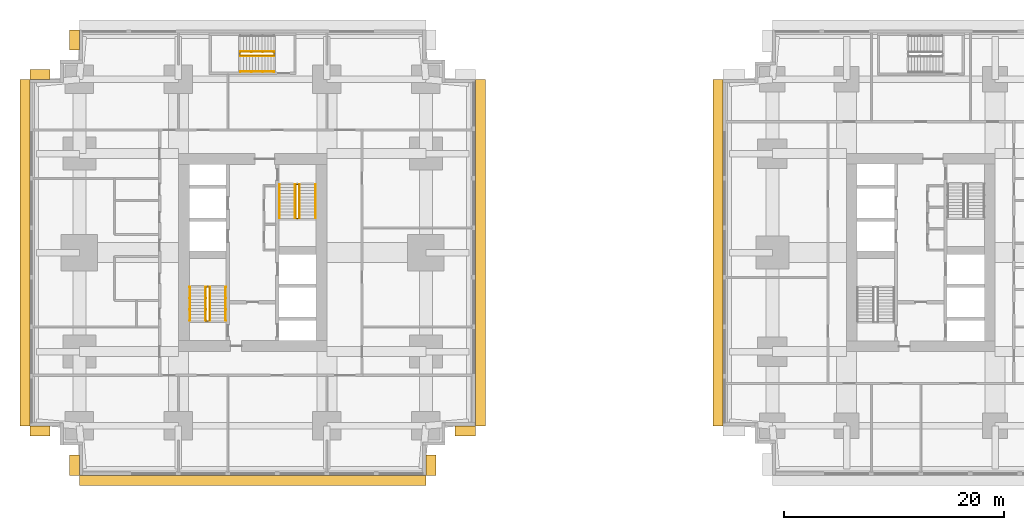
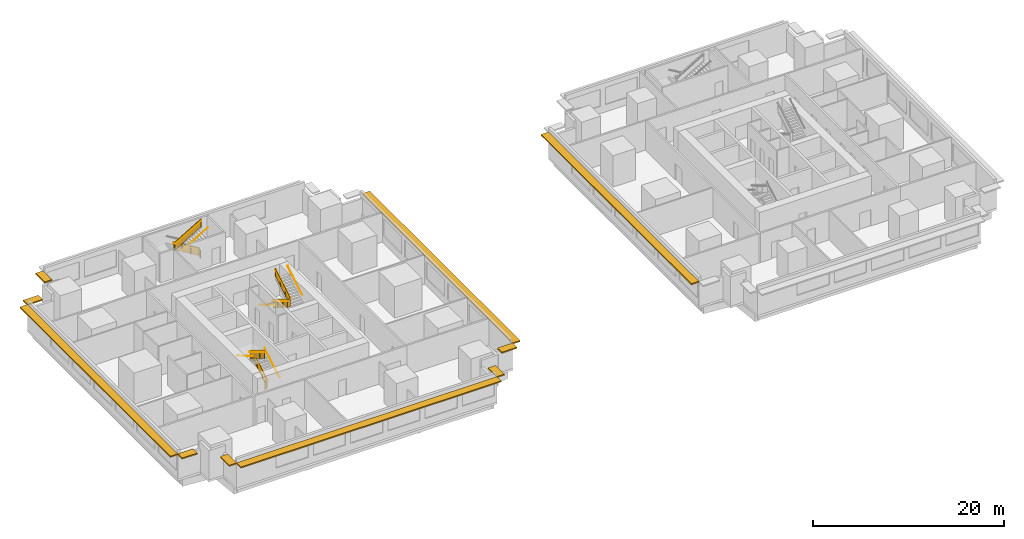
# One storey, part 10 of 12: 14 railings, 10 shading devices.
"""IFC4 building model written with IfcOpenShell, lengths in metres."""

from ifc_helpers import new_model, si_unit, direction, frame, origin, origin_2d, place, context, subcontext, project, spatial, polyline, rectangle, circle, outline, extrude, material, layer, layer_set, type_object, element, save


model = new_model("IFC4")

# Units and contexts
model_context = context("Model", 3, precision=1e-05, world=origin(), true_north=direction((0.0, 1.0)))
body_context = subcontext(model_context, "Body", "Model", "MODEL_VIEW")
ifc_project = project(units=[si_unit("LENGTHUNIT", "METRE"), si_unit("AREAUNIT", "SQUARE_METRE"), si_unit("VOLUMEUNIT", "CUBIC_METRE"), si_unit("PLANEANGLEUNIT", "RADIAN"), si_unit("MASSUNIT", "GRAM", prefix="KILO")], contexts=[model_context])

# Site, building, storey
site_placement = place(None, origin())
site = spatial("IfcSite", under=ifc_project, at=site_placement, CompositionType="ELEMENT")
building_placement = place(site_placement, origin())
building = spatial("IfcBuilding", under=site, at=building_placement, Name="Namib Vertical Campus", CompositionType="ELEMENT")
storey_placement = place(building_placement, frame((0.0, 0.0, 45.0)))
storey = spatial("IfcBuildingStorey", under=building, at=storey_placement, Name="L10", CompositionType="ELEMENT", Elevation=45.0)

# Railings
ifc_material_1 = material(Name="Steel handrail", Category="steel")
railing_type_1 = type_object("IfcRailingType", Name="Handrail 900", PredefinedType="HANDRAIL", material=ifc_material_1)
railing_1_placement = place(storey_placement, frame((17.800048828125, 14.050048828125, 0.166748046875)))
element("IfcRailing", 1, at=railing_1_placement, inside=storey, type_object=railing_type_1, Name="Handrail HR1 A-S1 L10 1", PredefinedType="HANDRAIL", context=body_context, shape_type="SweptSolid", body=[
    extrude(circle(Radius=0.02392578125, at=origin_2d()), frame((0.0, 0.0, 0.8759765625), z_axis=(0.0, 0.859290745958, 0.51148745235), x_axis=(-1.0, 0.0, 0.0)), (0.0, 0.0, 1.0), 3.584228515625),
    extrude(circle(Radius=0.008056640625, at=origin_2d()), frame((0.0, 0.0, 0.8759765625), z_axis=(1.0, 0.0, 0.0), x_axis=(0.0, 0.0, 1.0)), (0.0, 0.0, 1.0), 0.050048828125),
    extrude(circle(Radius=0.008056640625, at=origin_2d()), frame((0.0, 1.026611328125, 1.48681640625), z_axis=(1.0, 0.0, 0.0), x_axis=(0.0, 0.0, 1.0)), (0.0, 0.0, 1.0), 0.050048828125),
    extrude(circle(Radius=0.008056640625, at=origin_2d()), frame((0.0, 2.05322265625, 2.09814453125), z_axis=(1.0, 0.0, 0.0), x_axis=(0.0, 0.0, 1.0)), (0.0, 0.0, 1.0), 0.050048828125),
    extrude(circle(Radius=0.008056640625, at=origin_2d()), frame((0.0, 3.079833984375, 2.708984375), z_axis=(1.0, 0.0, 0.0), x_axis=(0.0, 0.0, 1.0)), (0.0, 0.0, 1.0), 0.050048828125),
])
railing_2_placement = place(storey_placement, frame((14.550048828125, 17.1298828125, 2.166748046875)))
element("IfcRailing", 2, at=railing_2_placement, inside=storey, type_object=railing_type_1, Name="Handrail HR1 A-S1 L10 2", PredefinedType="HANDRAIL", context=body_context, shape_type="SweptSolid", body=[
    extrude(circle(Radius=0.02392578125, at=origin_2d()), frame((0.0, 0.0, 0.8759765625), z_axis=(0.0, -0.859290745958, 0.51148745235), x_axis=(1.0, 0.0, 0.0)), (0.0, 0.0, 1.0), 3.584228515625),
    extrude(circle(Radius=0.008056640625, at=origin_2d()), frame((0.0, 0.0, 0.8759765625), z_axis=(-1.0, 0.0, 0.0), x_axis=(0.0, 0.0, 1.0)), (0.0, 0.0, 1.0), 0.050048828125),
    extrude(circle(Radius=0.008056640625, at=origin_2d()), frame((0.0, -1.026611328125, 1.48681640625), z_axis=(-1.0, 0.0, 0.0), x_axis=(0.0, 0.0, 1.0)), (0.0, 0.0, 1.0), 0.050048828125),
    extrude(circle(Radius=0.008056640625, at=origin_2d()), frame((0.0, -2.05322265625, 2.09814453125), z_axis=(-1.0, 0.0, 0.0), x_axis=(0.0, 0.0, 1.0)), (0.0, 0.0, 1.0), 0.050048828125),
    extrude(circle(Radius=0.008056640625, at=origin_2d()), frame((0.0, -3.079833984375, 2.708984375), z_axis=(-1.0, 0.0, 0.0), x_axis=(0.0, 0.0, 1.0)), (0.0, 0.0, 1.0), 0.050048828125),
])
railing_3_placement = place(storey_placement, frame((16.375, 14.050048828125, 0.166748046875)))
element("IfcRailing", 3, at=railing_3_placement, inside=storey, type_object=railing_type_1, Name="Handrail HR1 A-S1 L10 1 at the well", PredefinedType="HANDRAIL", context=body_context, shape_type="SweptSolid", body=[
    extrude(circle(Radius=0.02392578125, at=origin_2d()), frame((0.0, 0.0, 0.8759765625), z_axis=(0.0, 0.859290745958, 0.51148745235), x_axis=(-1.0, 0.0, 0.0)), (0.0, 0.0, 1.0), 3.584228515625),
    extrude(circle(Radius=0.008056640625, at=origin_2d()), frame((0.0, 0.0, 0.8759765625), z_axis=(-1.0, 0.0, 0.0), x_axis=(0.0, 0.0, 1.0)), (0.0, 0.0, 1.0), 0.0400390625),
    extrude(circle(Radius=0.008056640625, at=origin_2d()), frame((0.0, 1.026611328125, 1.48681640625), z_axis=(-1.0, 0.0, 0.0), x_axis=(0.0, 0.0, 1.0)), (0.0, 0.0, 1.0), 0.0400390625),
    extrude(circle(Radius=0.008056640625, at=origin_2d()), frame((0.0, 2.05322265625, 2.09814453125), z_axis=(-1.0, 0.0, 0.0), x_axis=(0.0, 0.0, 1.0)), (0.0, 0.0, 1.0), 0.0400390625),
    extrude(circle(Radius=0.008056640625, at=origin_2d()), frame((0.0, 3.079833984375, 2.708984375), z_axis=(-1.0, 0.0, 0.0), x_axis=(0.0, 0.0, 1.0)), (0.0, 0.0, 1.0), 0.0400390625),
])
railing_4_placement = place(storey_placement, frame((15.97509765625, 17.1298828125, 2.166748046875)))
element("IfcRailing", 4, at=railing_4_placement, inside=storey, type_object=railing_type_1, Name="Handrail HR1 A-S1 L10 2 at the well", PredefinedType="HANDRAIL", context=body_context, shape_type="SweptSolid", body=[
    extrude(circle(Radius=0.02392578125, at=origin_2d()), frame((0.0, 0.0, 0.8759765625), z_axis=(0.0, -0.859290745958, 0.51148745235), x_axis=(1.0, 0.0, 0.0)), (0.0, 0.0, 1.0), 3.584228515625),
    extrude(circle(Radius=0.008056640625, at=origin_2d()), frame((0.0, 0.0, 0.8759765625), z_axis=(1.0, 0.0, 0.0), x_axis=(0.0, 0.0, 1.0)), (0.0, 0.0, 1.0), 0.0400390625),
    extrude(circle(Radius=0.008056640625, at=origin_2d()), frame((0.0, -1.026611328125, 1.48681640625), z_axis=(1.0, 0.0, 0.0), x_axis=(0.0, 0.0, 1.0)), (0.0, 0.0, 1.0), 0.0400390625),
    extrude(circle(Radius=0.008056640625, at=origin_2d()), frame((0.0, -2.05322265625, 2.09814453125), z_axis=(1.0, 0.0, 0.0), x_axis=(0.0, 0.0, 1.0)), (0.0, 0.0, 1.0), 0.0400390625),
    extrude(circle(Radius=0.008056640625, at=origin_2d()), frame((0.0, -3.079833984375, 2.708984375), z_axis=(1.0, 0.0, 0.0), x_axis=(0.0, 0.0, 1.0)), (0.0, 0.0, 1.0), 0.0400390625),
])
railing_5_placement = place(storey_placement, frame((22.699951171875, 26.449951171875, 0.166748046875)))
element("IfcRailing", 5, at=railing_5_placement, inside=storey, type_object=railing_type_1, Name="Handrail HR1 A-S2 L10 1", PredefinedType="HANDRAIL", context=body_context, shape_type="SweptSolid", body=[
    extrude(circle(Radius=0.02392578125, at=origin_2d()), frame((0.0, 0.0, 0.8759765625), z_axis=(0.0, -0.859290745958, 0.51148745235), x_axis=(1.0, 0.0, 0.0)), (0.0, 0.0, 1.0), 3.584228515625),
    extrude(circle(Radius=0.008056640625, at=origin_2d()), frame((0.0, 0.0, 0.8759765625), z_axis=(-1.0, 0.0, 0.0), x_axis=(0.0, 0.0, 1.0)), (0.0, 0.0, 1.0), 0.050048828125),
    extrude(circle(Radius=0.008056640625, at=origin_2d()), frame((0.0, -1.026611328125, 1.48681640625), z_axis=(-1.0, 0.0, 0.0), x_axis=(0.0, 0.0, 1.0)), (0.0, 0.0, 1.0), 0.050048828125),
    extrude(circle(Radius=0.008056640625, at=origin_2d()), frame((0.0, -2.05322265625, 2.09814453125), z_axis=(-1.0, 0.0, 0.0), x_axis=(0.0, 0.0, 1.0)), (0.0, 0.0, 1.0), 0.050048828125),
    extrude(circle(Radius=0.008056640625, at=origin_2d()), frame((0.0, -3.079833984375, 2.708984375), z_axis=(-1.0, 0.0, 0.0), x_axis=(0.0, 0.0, 1.0)), (0.0, 0.0, 1.0), 0.050048828125),
])
railing_6_placement = place(storey_placement, frame((25.949951171875, 23.3701171875, 2.166748046875)))
element("IfcRailing", 6, at=railing_6_placement, inside=storey, type_object=railing_type_1, Name="Handrail HR1 A-S2 L10 2", PredefinedType="HANDRAIL", context=body_context, shape_type="SweptSolid", body=[
    extrude(circle(Radius=0.02392578125, at=origin_2d()), frame((0.0, 0.0, 0.8759765625), z_axis=(0.0, 0.859290745958, 0.51148745235), x_axis=(-1.0, 0.0, 0.0)), (0.0, 0.0, 1.0), 3.584228515625),
    extrude(circle(Radius=0.008056640625, at=origin_2d()), frame((0.0, 0.0, 0.8759765625), z_axis=(1.0, 0.0, 0.0), x_axis=(0.0, 0.0, 1.0)), (0.0, 0.0, 1.0), 0.050048828125),
    extrude(circle(Radius=0.008056640625, at=origin_2d()), frame((0.0, 1.026611328125, 1.48681640625), z_axis=(1.0, 0.0, 0.0), x_axis=(0.0, 0.0, 1.0)), (0.0, 0.0, 1.0), 0.050048828125),
    extrude(circle(Radius=0.008056640625, at=origin_2d()), frame((0.0, 2.05322265625, 2.09814453125), z_axis=(1.0, 0.0, 0.0), x_axis=(0.0, 0.0, 1.0)), (0.0, 0.0, 1.0), 0.050048828125),
    extrude(circle(Radius=0.008056640625, at=origin_2d()), frame((0.0, 3.079833984375, 2.708984375), z_axis=(1.0, 0.0, 0.0), x_axis=(0.0, 0.0, 1.0)), (0.0, 0.0, 1.0), 0.050048828125),
])
railing_7_placement = place(storey_placement, frame((24.125, 26.449951171875, 0.166748046875)))
element("IfcRailing", 7, at=railing_7_placement, inside=storey, type_object=railing_type_1, Name="Handrail HR1 A-S2 L10 1 at the well", PredefinedType="HANDRAIL", context=body_context, shape_type="SweptSolid", body=[
    extrude(circle(Radius=0.02392578125, at=origin_2d()), frame((0.0, 0.0, 0.8759765625), z_axis=(0.0, -0.859290745958, 0.51148745235), x_axis=(1.0, 0.0, 0.0)), (0.0, 0.0, 1.0), 3.584228515625),
    extrude(circle(Radius=0.008056640625, at=origin_2d()), frame((0.0, 0.0, 0.8759765625), z_axis=(1.0, 0.0, 0.0), x_axis=(0.0, 0.0, 1.0)), (0.0, 0.0, 1.0), 0.0400390625),
    extrude(circle(Radius=0.008056640625, at=origin_2d()), frame((0.0, -1.026611328125, 1.48681640625), z_axis=(1.0, 0.0, 0.0), x_axis=(0.0, 0.0, 1.0)), (0.0, 0.0, 1.0), 0.0400390625),
    extrude(circle(Radius=0.008056640625, at=origin_2d()), frame((0.0, -2.05322265625, 2.09814453125), z_axis=(1.0, 0.0, 0.0), x_axis=(0.0, 0.0, 1.0)), (0.0, 0.0, 1.0), 0.0400390625),
    extrude(circle(Radius=0.008056640625, at=origin_2d()), frame((0.0, -3.079833984375, 2.708984375), z_axis=(1.0, 0.0, 0.0), x_axis=(0.0, 0.0, 1.0)), (0.0, 0.0, 1.0), 0.0400390625),
])
railing_8_placement = place(storey_placement, frame((24.52490234375, 23.3701171875, 2.166748046875)))
element("IfcRailing", 8, at=railing_8_placement, inside=storey, type_object=railing_type_1, Name="Handrail HR1 A-S2 L10 2 at the well", PredefinedType="HANDRAIL", context=body_context, shape_type="SweptSolid", body=[
    extrude(circle(Radius=0.02392578125, at=origin_2d()), frame((0.0, 0.0, 0.8759765625), z_axis=(0.0, 0.859290745958, 0.51148745235), x_axis=(-1.0, 0.0, 0.0)), (0.0, 0.0, 1.0), 3.584228515625),
    extrude(circle(Radius=0.008056640625, at=origin_2d()), frame((0.0, 0.0, 0.8759765625), z_axis=(-1.0, 0.0, 0.0), x_axis=(0.0, 0.0, 1.0)), (0.0, 0.0, 1.0), 0.0400390625),
    extrude(circle(Radius=0.008056640625, at=origin_2d()), frame((0.0, 1.026611328125, 1.48681640625), z_axis=(-1.0, 0.0, 0.0), x_axis=(0.0, 0.0, 1.0)), (0.0, 0.0, 1.0), 0.0400390625),
    extrude(circle(Radius=0.008056640625, at=origin_2d()), frame((0.0, 2.05322265625, 2.09814453125), z_axis=(-1.0, 0.0, 0.0), x_axis=(0.0, 0.0, 1.0)), (0.0, 0.0, 1.0), 0.0400390625),
    extrude(circle(Radius=0.008056640625, at=origin_2d()), frame((0.0, 3.079833984375, 2.708984375), z_axis=(-1.0, 0.0, 0.0), x_axis=(0.0, 0.0, 1.0)), (0.0, 0.0, 1.0), 0.0400390625),
])
railing_9_placement = place(storey_placement, frame((19.1201171875, 36.699951171875, 2.166748046875)))
element("IfcRailing", 9, at=railing_9_placement, inside=storey, type_object=railing_type_1, Name="Handrail HR1 A-S3 L10 2", PredefinedType="HANDRAIL", context=body_context, shape_type="SweptSolid", body=[
    extrude(circle(Radius=0.02392578125, at=origin_2d()), frame((0.0, 0.0, 0.8759765625), z_axis=(0.859290745958, 0.0, 0.51148745235), x_axis=(0.0, 1.0, 0.0)), (0.0, 0.0, 1.0), 3.584228515625),
    extrude(circle(Radius=0.008056640625, at=origin_2d()), frame((0.0, 0.0, 0.8759765625), z_axis=(0.0, -1.0, 0.0), x_axis=(0.0, 0.0, 1.0)), (0.0, 0.0, 1.0), 0.050048828125),
    extrude(circle(Radius=0.008056640625, at=origin_2d()), frame((1.026611328125, 0.0, 1.48681640625), z_axis=(0.0, -1.0, 0.0), x_axis=(0.0, 0.0, 1.0)), (0.0, 0.0, 1.0), 0.050048828125),
    extrude(circle(Radius=0.008056640625, at=origin_2d()), frame((2.05322265625, 0.0, 2.09814453125), z_axis=(0.0, -1.0, 0.0), x_axis=(0.0, 0.0, 1.0)), (0.0, 0.0, 1.0), 0.050048828125),
    extrude(circle(Radius=0.008056640625, at=origin_2d()), frame((3.079833984375, 0.0, 2.708984375), z_axis=(0.0, -1.0, 0.0), x_axis=(0.0, 0.0, 1.0)), (0.0, 0.0, 1.0), 0.050048828125),
])
railing_10_placement = place(storey_placement, frame((22.199951171875, 38.52490234375, 0.166748046875)))
element("IfcRailing", 10, at=railing_10_placement, inside=storey, type_object=railing_type_1, Name="Handrail HR1 A-S3 L10 1 at the well", PredefinedType="HANDRAIL", context=body_context, shape_type="SweptSolid", body=[
    extrude(circle(Radius=0.02392578125, at=origin_2d()), frame((0.0, 0.0, 0.8759765625), z_axis=(-0.859290745958, 0.0, 0.51148745235), x_axis=(0.0, -1.0, 0.0)), (0.0, 0.0, 1.0), 3.584228515625),
    extrude(circle(Radius=0.008056640625, at=origin_2d()), frame((0.0, 0.0, 0.8759765625), z_axis=(0.0, -1.0, 0.0), x_axis=(0.0, 0.0, 1.0)), (0.0, 0.0, 1.0), 0.0400390625),
    extrude(circle(Radius=0.008056640625, at=origin_2d()), frame((-1.026611328125, 0.0, 1.48681640625), z_axis=(0.0, -1.0, 0.0), x_axis=(0.0, 0.0, 1.0)), (0.0, 0.0, 1.0), 0.0400390625),
    extrude(circle(Radius=0.008056640625, at=origin_2d()), frame((-2.05322265625, 0.0, 2.09814453125), z_axis=(0.0, -1.0, 0.0), x_axis=(0.0, 0.0, 1.0)), (0.0, 0.0, 1.0), 0.0400390625),
    extrude(circle(Radius=0.008056640625, at=origin_2d()), frame((-3.079833984375, 0.0, 2.708984375), z_axis=(0.0, -1.0, 0.0), x_axis=(0.0, 0.0, 1.0)), (0.0, 0.0, 1.0), 0.0400390625),
])
railing_11_placement = place(storey_placement, frame((19.1201171875, 38.125, 2.166748046875)))
element("IfcRailing", 11, at=railing_11_placement, inside=storey, type_object=railing_type_1, Name="Handrail HR1 A-S3 L10 2 at the well", PredefinedType="HANDRAIL", context=body_context, shape_type="SweptSolid", body=[
    extrude(circle(Radius=0.02392578125, at=origin_2d()), frame((0.0, 0.0, 0.8759765625), z_axis=(0.859290745958, 0.0, 0.51148745235), x_axis=(0.0, 1.0, 0.0)), (0.0, 0.0, 1.0), 3.584228515625),
    extrude(circle(Radius=0.008056640625, at=origin_2d()), frame((0.0, 0.0, 0.8759765625), z_axis=(0.0, 1.0, 0.0), x_axis=(0.0, 0.0, 1.0)), (0.0, 0.0, 1.0), 0.0400390625),
    extrude(circle(Radius=0.008056640625, at=origin_2d()), frame((1.026611328125, 0.0, 1.48681640625), z_axis=(0.0, 1.0, 0.0), x_axis=(0.0, 0.0, 1.0)), (0.0, 0.0, 1.0), 0.0400390625),
    extrude(circle(Radius=0.008056640625, at=origin_2d()), frame((2.05322265625, 0.0, 2.09814453125), z_axis=(0.0, 1.0, 0.0), x_axis=(0.0, 0.0, 1.0)), (0.0, 0.0, 1.0), 0.0400390625),
    extrude(circle(Radius=0.008056640625, at=origin_2d()), frame((3.079833984375, 0.0, 2.708984375), z_axis=(0.0, 1.0, 0.0), x_axis=(0.0, 0.0, 1.0)), (0.0, 0.0, 1.0), 0.0400390625),
])
ifc_material_2 = material(Name="Steel balustrade", Category="steel")
railing_type_2 = type_object("IfcRailingType", Name="Stair guard 1100", PredefinedType="GUARDRAIL", material=ifc_material_2)
railing_12_placement = place(storey_placement, frame((16.02490234375, 14.050048828125, 0.0)))
element("IfcRailing", 12, at=railing_12_placement, inside=storey, type_object=railing_type_2, Name="Stair guard GR1 A-S1 L10", PredefinedType="GUARDRAIL", context=body_context, shape_type="SweptSolid", body=[
    extrude(circle(Radius=0.02392578125, at=origin_2d()), frame((0.0, 0.0, 1.076171875), z_axis=(1.0, 0.0, 0.0), x_axis=(0.0, 1.0, 0.0)), (0.0, 0.0, 1.0), 0.300048828125),
    extrude(outline(polyline([(0.02099609375, 0.050048828125), (0.279052734375, 0.050048828125), (0.279052734375, 1.052001953125), (0.02099609375, 1.052001953125), (0.02099609375, 0.050048828125)])), frame((0.0, 0.010009765625, 0.0), z_axis=(0.0, -1.0, 0.0), x_axis=(1.0, 0.0, 0.0)), (0.0, 0.0, 1.0), 0.02001953125),
    extrude(circle(Radius=0.02392578125, at=origin_2d()), frame((0.300048828125, 0.0, 1.076171875), z_axis=(0.0, 0.0, 1.0), x_axis=(1.0, 0.0, 0.0)), (0.0, 0.0, 1.0), 0.166748046875),
    extrude(circle(Radius=0.02392578125, at=origin_2d()), frame((0.300048828125, 0.0, 1.24267578125), z_axis=(0.0, 0.859290745958, 0.51148745235), x_axis=(-1.0, 0.0, 0.0)), (0.0, 0.0, 1.0), 3.584228515625),
    extrude(outline(polyline([(0.02099609375, 0.0625), (3.058837890625, 1.870849609375), (3.058837890625, 2.872802734375), (0.02099609375, 1.064453125), (0.02099609375, 0.0625)])), frame((0.2900390625, 0.0, 0.166748046875), z_axis=(1.0, 0.0, 0.0), x_axis=(0.0, 1.0, 0.0)), (0.0, 0.0, 1.0), 0.02001953125),
    extrude(circle(Radius=0.02392578125, at=origin_2d()), frame((0.300048828125, 3.079833984375, 3.076171875), z_axis=(-1.0, 0.0, 0.0), x_axis=(0.0, -1.0, 0.0)), (0.0, 0.0, 1.0), 0.300048828125),
    extrude(outline(polyline([(0.02099609375, 0.050048828125), (0.279052734375, 0.050048828125), (0.279052734375, 1.052001953125), (0.02099609375, 1.052001953125), (0.02099609375, 0.050048828125)])), frame((0.300048828125, 3.06982421875, 2.0), z_axis=(0.0, 1.0, 0.0), x_axis=(-1.0, 0.0, 0.0)), (0.0, 0.0, 1.0), 0.02001953125),
    extrude(circle(Radius=0.02392578125, at=origin_2d()), frame((0.0, 3.079833984375, 3.076171875), z_axis=(0.0, 0.0, 1.0), x_axis=(1.0, 0.0, 0.0)), (0.0, 0.0, 1.0), 0.166748046875),
    extrude(circle(Radius=0.02392578125, at=origin_2d()), frame((0.0, 3.079833984375, 3.24267578125), z_axis=(0.0, -0.859290745958, 0.51148745235), x_axis=(1.0, 0.0, 0.0)), (0.0, 0.0, 1.0), 3.584228515625),
    extrude(outline(polyline([(0.02099609375, 0.0625), (3.058837890625, 1.870849609375), (3.058837890625, 2.872802734375), (0.02099609375, 1.064453125), (0.02099609375, 0.0625)])), frame((0.010009765625, 3.079833984375, 2.166748046875), z_axis=(-1.0, 0.0, 0.0), x_axis=(0.0, -1.0, 0.0)), (0.0, 0.0, 1.0), 0.02001953125),
    extrude(circle(Radius=0.02392578125, at=origin_2d()), frame((0.0, 0.0, 5.076171875), z_axis=(0.0, -1.0, 0.0), x_axis=(1.0, 0.0, 0.0)), (0.0, 0.0, 1.0), 0.050048828125),
    extrude(outline(polyline([(0.02099609375, 0.050048828125), (0.029052734375, 0.050048828125), (0.029052734375, 1.052001953125), (0.02099609375, 1.052001953125), (0.02099609375, 0.050048828125)])), frame((0.010009765625, 0.0, 4.0), z_axis=(-1.0, 0.0, 0.0), x_axis=(0.0, -1.0, 0.0)), (0.0, 0.0, 1.0), 0.02001953125),
    extrude(circle(Radius=0.02099609375, at=origin_2d()), origin(), (0.0, 0.0, 1.0), 1.052001953125),
    extrude(circle(Radius=0.02099609375, at=origin_2d()), frame((0.300048828125, 0.0, 0.166748046875)), (0.0, 0.0, 1.0), 1.052001953125),
    extrude(circle(Radius=0.02099609375, at=origin_2d()), frame((0.300048828125, 1.026611328125, 0.666748046875)), (0.0, 0.0, 1.0), 1.1630859375),
    extrude(circle(Radius=0.02099609375, at=origin_2d()), frame((0.300048828125, 2.05322265625, 1.33349609375)), (0.0, 0.0, 1.0), 1.107421875),
    extrude(circle(Radius=0.02099609375, at=origin_2d()), frame((0.300048828125, 3.079833984375, 2.0)), (0.0, 0.0, 1.0), 1.052001953125),
    extrude(circle(Radius=0.02099609375, at=origin_2d()), frame((0.0, 3.079833984375, 2.166748046875)), (0.0, 0.0, 1.0), 1.052001953125),
    extrude(circle(Radius=0.02099609375, at=origin_2d()), frame((0.0, 2.05322265625, 2.666748046875)), (0.0, 0.0, 1.0), 1.1630859375),
    extrude(circle(Radius=0.02099609375, at=origin_2d()), frame((0.0, 1.026611328125, 3.33349609375)), (0.0, 0.0, 1.0), 1.107421875),
    extrude(circle(Radius=0.02099609375, at=origin_2d()), frame((0.0, 0.0, 4.0)), (0.0, 0.0, 1.0), 1.052001953125),
    extrude(circle(Radius=0.02099609375, at=origin_2d()), frame((0.0, -0.050048828125, 4.0)), (0.0, 0.0, 1.0), 1.052001953125),
])
railing_13_placement = place(storey_placement, frame((24.47509765625, 26.449951171875, 0.0)))
element("IfcRailing", 13, at=railing_13_placement, inside=storey, type_object=railing_type_2, Name="Stair guard GR1 A-S2 L10", PredefinedType="GUARDRAIL", context=body_context, shape_type="SweptSolid", body=[
    extrude(circle(Radius=0.02392578125, at=origin_2d()), frame((0.0, 0.0, 1.076171875), z_axis=(-1.0, 0.0, 0.0), x_axis=(0.0, -1.0, 0.0)), (0.0, 0.0, 1.0), 0.300048828125),
    extrude(outline(polyline([(0.02099609375, 0.050048828125), (0.279052734375, 0.050048828125), (0.279052734375, 1.052001953125), (0.02099609375, 1.052001953125), (0.02099609375, 0.050048828125)])), frame((0.0, -0.010009765625, 0.0), z_axis=(0.0, 1.0, 0.0), x_axis=(-1.0, 0.0, 0.0)), (0.0, 0.0, 1.0), 0.02001953125),
    extrude(circle(Radius=0.02392578125, at=origin_2d()), frame((-0.300048828125, 0.0, 1.076171875), z_axis=(0.0, 0.0, 1.0), x_axis=(1.0, 0.0, 0.0)), (0.0, 0.0, 1.0), 0.166748046875),
    extrude(circle(Radius=0.02392578125, at=origin_2d()), frame((-0.300048828125, 0.0, 1.24267578125), z_axis=(0.0, -0.859290745958, 0.51148745235), x_axis=(1.0, 0.0, 0.0)), (0.0, 0.0, 1.0), 3.584228515625),
    extrude(outline(polyline([(0.02099609375, 0.0625), (3.058837890625, 1.870849609375), (3.058837890625, 2.872802734375), (0.02099609375, 1.064453125), (0.02099609375, 0.0625)])), frame((-0.2900390625, 0.0, 0.166748046875), z_axis=(-1.0, 0.0, 0.0), x_axis=(0.0, -1.0, 0.0)), (0.0, 0.0, 1.0), 0.02001953125),
    extrude(circle(Radius=0.02392578125, at=origin_2d()), frame((-0.300048828125, -3.079833984375, 3.076171875), z_axis=(1.0, 0.0, 0.0), x_axis=(0.0, 1.0, 0.0)), (0.0, 0.0, 1.0), 0.300048828125),
    extrude(outline(polyline([(0.02099609375, 0.050048828125), (0.279052734375, 0.050048828125), (0.279052734375, 1.052001953125), (0.02099609375, 1.052001953125), (0.02099609375, 0.050048828125)])), frame((-0.300048828125, -3.06982421875, 2.0), z_axis=(0.0, -1.0, 0.0), x_axis=(1.0, 0.0, 0.0)), (0.0, 0.0, 1.0), 0.02001953125),
    extrude(circle(Radius=0.02392578125, at=origin_2d()), frame((0.0, -3.079833984375, 3.076171875), z_axis=(0.0, 0.0, 1.0), x_axis=(1.0, 0.0, 0.0)), (0.0, 0.0, 1.0), 0.166748046875),
    extrude(circle(Radius=0.02392578125, at=origin_2d()), frame((0.0, -3.079833984375, 3.24267578125), z_axis=(0.0, 0.859290745958, 0.51148745235), x_axis=(-1.0, 0.0, 0.0)), (0.0, 0.0, 1.0), 3.584228515625),
    extrude(outline(polyline([(0.02099609375, 0.0625), (3.058837890625, 1.870849609375), (3.058837890625, 2.872802734375), (0.02099609375, 1.064453125), (0.02099609375, 0.0625)])), frame((-0.010009765625, -3.079833984375, 2.166748046875), z_axis=(1.0, 0.0, 0.0), x_axis=(0.0, 1.0, 0.0)), (0.0, 0.0, 1.0), 0.02001953125),
    extrude(circle(Radius=0.02392578125, at=origin_2d()), frame((0.0, 0.0, 5.076171875), z_axis=(0.0, 1.0, 0.0), x_axis=(-1.0, 0.0, 0.0)), (0.0, 0.0, 1.0), 0.050048828125),
    extrude(outline(polyline([(0.02099609375, 0.050048828125), (0.029052734375, 0.050048828125), (0.029052734375, 1.052001953125), (0.02099609375, 1.052001953125), (0.02099609375, 0.050048828125)])), frame((-0.010009765625, 0.0, 4.0), z_axis=(1.0, 0.0, 0.0), x_axis=(0.0, 1.0, 0.0)), (0.0, 0.0, 1.0), 0.02001953125),
    extrude(circle(Radius=0.02099609375, at=origin_2d()), origin(), (0.0, 0.0, 1.0), 1.052001953125),
    extrude(circle(Radius=0.02099609375, at=origin_2d()), frame((-0.300048828125, 0.0, 0.166748046875)), (0.0, 0.0, 1.0), 1.052001953125),
    extrude(circle(Radius=0.02099609375, at=origin_2d()), frame((-0.300048828125, -1.026611328125, 0.666748046875)), (0.0, 0.0, 1.0), 1.1630859375),
    extrude(circle(Radius=0.02099609375, at=origin_2d()), frame((-0.300048828125, -2.05322265625, 1.33349609375)), (0.0, 0.0, 1.0), 1.107421875),
    extrude(circle(Radius=0.02099609375, at=origin_2d()), frame((-0.300048828125, -3.079833984375, 2.0)), (0.0, 0.0, 1.0), 1.052001953125),
    extrude(circle(Radius=0.02099609375, at=origin_2d()), frame((0.0, -3.079833984375, 2.166748046875)), (0.0, 0.0, 1.0), 1.052001953125),
    extrude(circle(Radius=0.02099609375, at=origin_2d()), frame((0.0, -2.05322265625, 2.666748046875)), (0.0, 0.0, 1.0), 1.1630859375),
    extrude(circle(Radius=0.02099609375, at=origin_2d()), frame((0.0, -1.026611328125, 3.33349609375)), (0.0, 0.0, 1.0), 1.107421875),
    extrude(circle(Radius=0.02099609375, at=origin_2d()), frame((0.0, 0.0, 4.0)), (0.0, 0.0, 1.0), 1.052001953125),
    extrude(circle(Radius=0.02099609375, at=origin_2d()), frame((0.0, 0.050048828125, 4.0)), (0.0, 0.0, 1.0), 1.052001953125),
])
railing_14_placement = place(storey_placement, frame((22.199951171875, 38.175048828125, 0.0)))
element("IfcRailing", 14, at=railing_14_placement, inside=storey, type_object=railing_type_2, Name="Stair guard GR1 A-S3 L10", PredefinedType="GUARDRAIL", context=body_context, shape_type="SweptSolid", body=[
    extrude(circle(Radius=0.02392578125, at=origin_2d()), frame((0.0, 0.0, 1.076171875), z_axis=(0.0, 1.0, 0.0), x_axis=(-1.0, 0.0, 0.0)), (0.0, 0.0, 1.0), 0.300048828125),
    extrude(outline(polyline([(0.02099609375, 0.050048828125), (0.279052734375, 0.050048828125), (0.279052734375, 1.052001953125), (0.02099609375, 1.052001953125), (0.02099609375, 0.050048828125)])), frame((-0.010009765625, 0.0, 0.0), z_axis=(1.0, 0.0, 0.0), x_axis=(0.0, 1.0, 0.0)), (0.0, 0.0, 1.0), 0.02001953125),
    extrude(circle(Radius=0.02392578125, at=origin_2d()), frame((0.0, 0.300048828125, 1.076171875), z_axis=(0.0, 0.0, 1.0), x_axis=(1.0, 0.0, 0.0)), (0.0, 0.0, 1.0), 0.166748046875),
    extrude(circle(Radius=0.02392578125, at=origin_2d()), frame((0.0, 0.300048828125, 1.24267578125), z_axis=(-0.859290745958, 0.0, 0.51148745235), x_axis=(0.0, -1.0, 0.0)), (0.0, 0.0, 1.0), 3.584228515625),
    extrude(outline(polyline([(0.02099609375, 0.0625), (3.058837890625, 1.870849609375), (3.058837890625, 2.872802734375), (0.02099609375, 1.064453125), (0.02099609375, 0.0625)])), frame((0.0, 0.2900390625, 0.166748046875), z_axis=(0.0, 1.0, 0.0), x_axis=(-1.0, 0.0, 0.0)), (0.0, 0.0, 1.0), 0.02001953125),
    extrude(circle(Radius=0.02392578125, at=origin_2d()), frame((-3.079833984375, 0.300048828125, 3.076171875), z_axis=(0.0, -1.0, 0.0), x_axis=(1.0, 0.0, 0.0)), (0.0, 0.0, 1.0), 0.300048828125),
    extrude(outline(polyline([(0.02099609375, 0.050048828125), (0.279052734375, 0.050048828125), (0.279052734375, 1.052001953125), (0.02099609375, 1.052001953125), (0.02099609375, 0.050048828125)])), frame((-3.06982421875, 0.300048828125, 2.0), z_axis=(-1.0, 0.0, 0.0), x_axis=(0.0, -1.0, 0.0)), (0.0, 0.0, 1.0), 0.02001953125),
    extrude(circle(Radius=0.02392578125, at=origin_2d()), frame((-3.079833984375, 0.0, 3.076171875), z_axis=(0.0, 0.0, 1.0), x_axis=(1.0, 0.0, 0.0)), (0.0, 0.0, 1.0), 0.166748046875),
    extrude(circle(Radius=0.02392578125, at=origin_2d()), frame((-3.079833984375, 0.0, 3.24267578125), z_axis=(0.859290745958, 0.0, 0.51148745235), x_axis=(0.0, 1.0, 0.0)), (0.0, 0.0, 1.0), 3.584228515625),
    extrude(outline(polyline([(0.02099609375, 0.0625), (3.058837890625, 1.870849609375), (3.058837890625, 2.872802734375), (0.02099609375, 1.064453125), (0.02099609375, 0.0625)])), frame((-3.079833984375, 0.010009765625, 2.166748046875), z_axis=(0.0, -1.0, 0.0), x_axis=(1.0, 0.0, 0.0)), (0.0, 0.0, 1.0), 0.02001953125),
    extrude(circle(Radius=0.02392578125, at=origin_2d()), frame((0.0, 0.0, 5.076171875), z_axis=(1.0, 0.0, 0.0), x_axis=(0.0, 1.0, 0.0)), (0.0, 0.0, 1.0), 0.050048828125),
    extrude(outline(polyline([(0.02099609375, 0.050048828125), (0.029052734375, 0.050048828125), (0.029052734375, 1.052001953125), (0.02099609375, 1.052001953125), (0.02099609375, 0.050048828125)])), frame((0.0, 0.010009765625, 4.0), z_axis=(0.0, -1.0, 0.0), x_axis=(1.0, 0.0, 0.0)), (0.0, 0.0, 1.0), 0.02001953125),
    extrude(circle(Radius=0.02099609375, at=origin_2d()), origin(), (0.0, 0.0, 1.0), 1.052001953125),
    extrude(circle(Radius=0.02099609375, at=origin_2d()), frame((0.0, 0.300048828125, 0.166748046875)), (0.0, 0.0, 1.0), 1.052001953125),
    extrude(circle(Radius=0.02099609375, at=origin_2d()), frame((-1.026611328125, 0.300048828125, 0.666748046875)), (0.0, 0.0, 1.0), 1.1630859375),
    extrude(circle(Radius=0.02099609375, at=origin_2d()), frame((-2.05322265625, 0.300048828125, 1.33349609375)), (0.0, 0.0, 1.0), 1.107421875),
    extrude(circle(Radius=0.02099609375, at=origin_2d()), frame((-3.079833984375, 0.300048828125, 2.0)), (0.0, 0.0, 1.0), 1.052001953125),
    extrude(circle(Radius=0.02099609375, at=origin_2d()), frame((-3.079833984375, 0.0, 2.166748046875)), (0.0, 0.0, 1.0), 1.052001953125),
    extrude(circle(Radius=0.02099609375, at=origin_2d()), frame((-2.05322265625, 0.0, 2.666748046875)), (0.0, 0.0, 1.0), 1.1630859375),
    extrude(circle(Radius=0.02099609375, at=origin_2d()), frame((-1.026611328125, 0.0, 3.33349609375)), (0.0, 0.0, 1.0), 1.107421875),
    extrude(circle(Radius=0.02099609375, at=origin_2d()), frame((0.0, 0.0, 4.0)), (0.0, 0.0, 1.0), 1.052001953125),
    extrude(circle(Radius=0.02099609375, at=origin_2d()), frame((0.050048828125, 0.0, 4.0)), (0.0, 0.0, 1.0), 1.052001953125),
])

# Shading devices
ifc_material_3 = material(Name="Concrete C40/50 precast", Category="concrete")
ifc_layer = layer(ifc_material_3, 0.14990234375)
ifc_layer_set = layer_set([ifc_layer], Name="Concrete C40/50 precast")
shading_device_type = type_object("IfcShadingDeviceType", Name="Sunshade hood 900", PredefinedType="SHUTTER", material=ifc_layer_set)
shading_device_1_placement = place(storey_placement, frame((20.25, -0.449951171875, 3.10009765625), z_axis=(0.0, 0.0, 1.0), x_axis=(1.0, 0.0, 0.0)))
element("IfcShadingDevice", 15, at=shading_device_1_placement, inside=storey, type_object=shading_device_type, Name="Sunshade SH1 L10 1", PredefinedType="SHUTTER", context=body_context, shape_type="SweptSolid", body=[
    extrude(rectangle(XDim=31.5, YDim=0.89990234375, at=origin_2d()), origin(), (0.0, 0.0, 1.0), 0.14990234375),
])
for number, where, z_axis, x_axis, name in (
    (16, (36.449951171875, 0.925048828125, 3.10009765625), (0.0, 0.0, 1.0), (0.0, 1.0, 0.0), "Sunshade SH1 L10 2"),
    (17, (39.574951171875, 4.050048828125, 3.10009765625), (0.0, 0.0, 1.0), (1.0, 0.0, 0.0), "Sunshade SH1 L10 5"),
):
    element("IfcShadingDevice", number, at=place(storey_placement, frame(where, z_axis=z_axis, x_axis=x_axis)), inside=storey, type_object=shading_device_type, Name=name, PredefinedType="SHUTTER", context=body_context, shape_type="SweptSolid", body=[
        extrude(rectangle(XDim=1.85009765625, YDim=0.89990234375, at=origin_2d()), origin(), (0.0, 0.0, 1.0), 0.14990234375),
    ])
shading_device_2_placement = place(storey_placement, frame((40.949951171875, 20.25, 3.10009765625), z_axis=(0.0, 0.0, 1.0), x_axis=(0.0, 1.0, 0.0)))
element("IfcShadingDevice", 18, at=shading_device_2_placement, inside=storey, type_object=shading_device_type, Name="Sunshade SH1 L10 6", PredefinedType="SHUTTER", context=body_context, shape_type="SweptSolid", body=[
    extrude(rectangle(XDim=31.5, YDim=0.89990234375, at=origin_2d()), origin(), (0.0, 0.0, 1.0), 0.14990234375),
])
for number, where, z_axis, x_axis, name in (
    (19, (4.050048828125, 39.574951171875, 3.10009765625), (0.0, 0.0, 1.0), (0.0, -1.0, 0.0), "Sunshade SH1 L10 12"),
    (20, (0.925048828125, 36.449951171875, 3.10009765625), (0.0, 0.0, 1.0), (-1.0, 0.0, 0.0), "Sunshade SH1 L10 15"),
):
    element("IfcShadingDevice", number, at=place(storey_placement, frame(where, z_axis=z_axis, x_axis=x_axis)), inside=storey, type_object=shading_device_type, Name=name, PredefinedType="SHUTTER", context=body_context, shape_type="SweptSolid", body=[
        extrude(rectangle(XDim=1.85009765625, YDim=0.89990234375, at=origin_2d()), origin(), (0.0, 0.0, 1.0), 0.14990234375),
    ])
shading_device_3_placement = place(storey_placement, frame((-0.449951171875, 20.25, 3.10009765625), z_axis=(0.0, 0.0, 1.0), x_axis=(0.0, -1.0, 0.0)))
element("IfcShadingDevice", 21, at=shading_device_3_placement, inside=storey, type_object=shading_device_type, Name="Sunshade SH1 L10 16", PredefinedType="SHUTTER", context=body_context, shape_type="SweptSolid", body=[
    extrude(rectangle(XDim=31.5, YDim=0.89990234375, at=origin_2d()), origin(), (0.0, 0.0, 1.0), 0.14990234375),
])
for number, where, z_axis, x_axis, name in (
    (22, (0.925048828125, 4.050048828125, 3.10009765625), (0.0, 0.0, 1.0), (1.0, 0.0, 0.0), "Sunshade SH1 L10 17"),
    (23, (4.050048828125, 0.925048828125, 3.10009765625), (0.0, 0.0, 1.0), (0.0, -1.0, 0.0), "Sunshade SH1 L10 20"),
):
    element("IfcShadingDevice", number, at=place(storey_placement, frame(where, z_axis=z_axis, x_axis=x_axis)), inside=storey, type_object=shading_device_type, Name=name, PredefinedType="SHUTTER", context=body_context, shape_type="SweptSolid", body=[
        extrude(rectangle(XDim=1.85009765625, YDim=0.89990234375, at=origin_2d()), origin(), (0.0, 0.0, 1.0), 0.14990234375),
    ])
shading_device_4_placement = place(storey_placement, frame((62.550048828125, 20.25, 3.10009765625), z_axis=(0.0, 0.0, 1.0), x_axis=(0.0, -1.0, 0.0)))
element("IfcShadingDevice", 24, at=shading_device_4_placement, inside=storey, type_object=shading_device_type, Name="Sunshade SH1 L10 16", PredefinedType="SHUTTER", context=body_context, shape_type="SweptSolid", body=[
    extrude(rectangle(XDim=31.5, YDim=0.89990234375, at=origin_2d()), origin(), (0.0, 0.0, 1.0), 0.14990234375),
])

save(model, "model.ifc")
